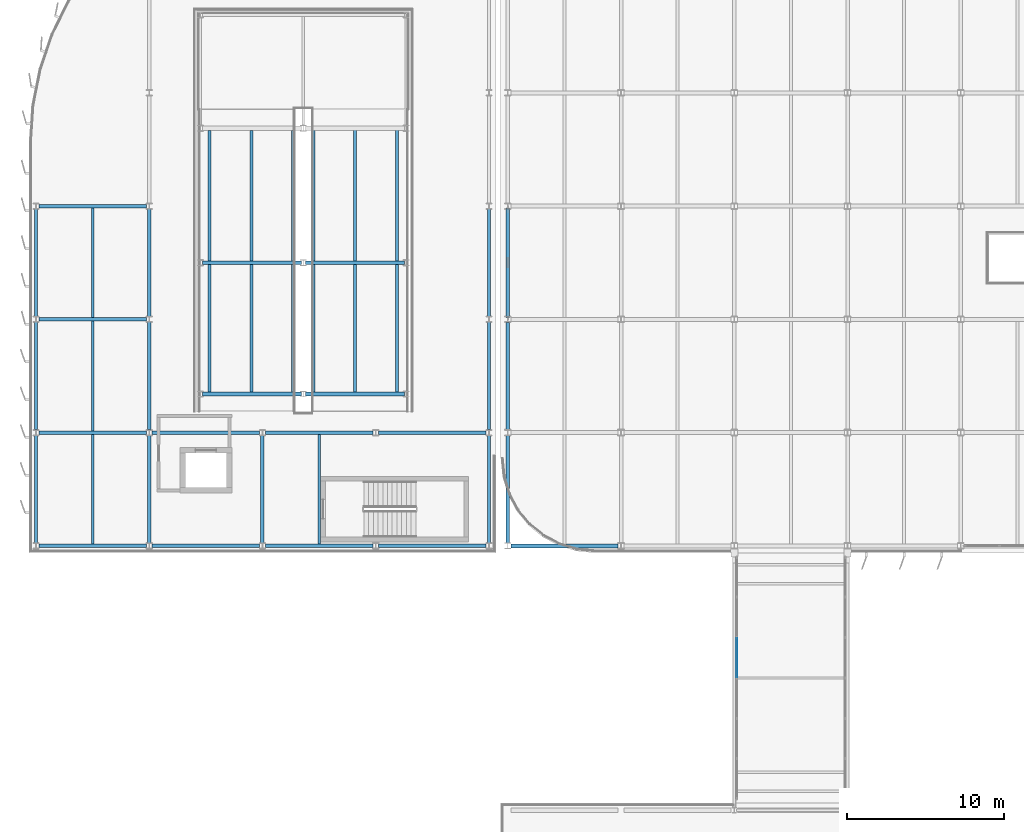
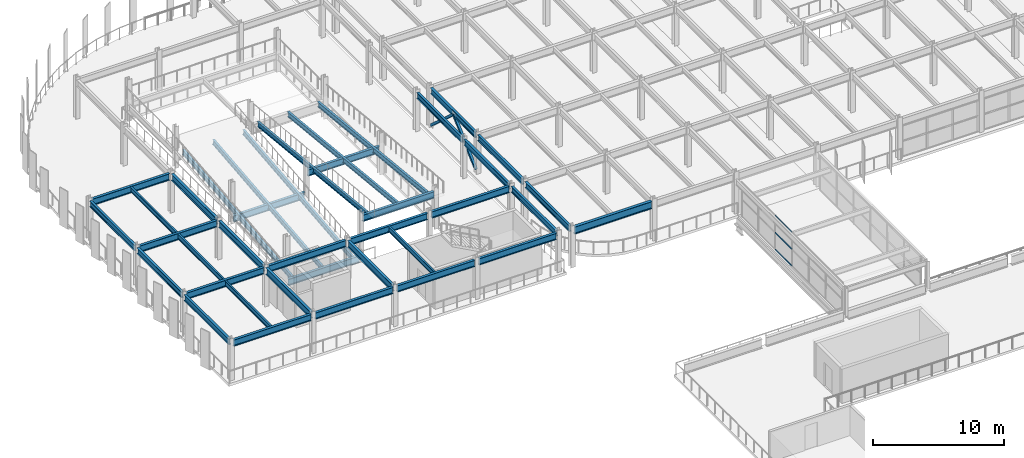
# One storey, part 22 of 93: 38 beams, 5 members, 1 element without a shape of its own.
"""IFC4 building model written with IfcOpenShell, lengths in metres."""

from ifc_helpers import new_model, si_unit, direction, frame, origin, origin_2d, place, context, subcontext, project, spatial, rectangle, hollow_rectangle, i_section, extrude, material, material_profile, profile_set, type_object, element, aggregate, save


model = new_model("IFC4")

# Units and contexts
model_context = context("Model", 3, precision=1e-05, world=origin(), true_north=direction((0.0, 1.0)))
body_context = subcontext(model_context, "Body", "Model", "MODEL_VIEW")
ifc_project = project(units=[si_unit("LENGTHUNIT", "METRE"), si_unit("AREAUNIT", "SQUARE_METRE"), si_unit("VOLUMEUNIT", "CUBIC_METRE"), si_unit("PLANEANGLEUNIT", "RADIAN"), si_unit("MASSUNIT", "GRAM", prefix="KILO")], contexts=[model_context])

# Site, building, storey
site_placement = place(None, origin())
site = spatial("IfcSite", under=ifc_project, at=site_placement, CompositionType="ELEMENT")
building_placement = place(site_placement, origin())
building = spatial("IfcBuilding", under=site, at=building_placement, Name="Vaelcorin Mobility Hub", CompositionType="ELEMENT")
storey_placement = place(building_placement, frame((0.0, 0.0, 5.39990234375)))
storey = spatial("IfcBuildingStorey", under=building, at=storey_placement, Name="L01", CompositionType="ELEMENT", Elevation=5.39990234375)

# Beams
ifc_material_1 = material(Name="Steel ASTM A992 Grade 50", Category="steel")
ifc_material_profile_1 = material_profile(ifc_material_1, i_section(OverallWidth=0.152099609375, OverallDepth=0.455078125, WebThickness=0.008056640625, FlangeThickness=0.01318359375, FilletRadius=0.012939453125, at=origin_2d()), Name="W18X40")
ifc_profile_set_1 = profile_set([ifc_material_profile_1], Name="Steel ASTM A992 Grade 50")
beam_type_1 = type_object("IfcBeamType", Name="BM-W18X40", PredefinedType="JOIST", material=ifc_profile_set_1)
for number, where, z_axis, x_axis, name in (
    (1, (9.60009765625, 76.912109375, 3.423095703125), (0.0, 1.0, 0.0), (-1.0, 0.0, 0.0), "L01 Beam V2W-L01-J-01-01-1"),
    (2, (9.60009765625, 84.112060546875, 3.423095703125), (0.0, 1.0, 0.0), (-1.0, 0.0, 0.0), "L01 Beam V2W-L01-J-01-02-1"),
):
    element("IfcBeam", number, at=place(storey_placement, frame(where, z_axis=z_axis, x_axis=x_axis)), inside=storey, type_object=beam_type_1, Name=name, PredefinedType="JOIST", context=body_context, shape_type="SweptSolid", body=[
        extrude(i_section(OverallWidth=0.152099609375, OverallDepth=0.455078125, WebThickness=0.008056640625, FlangeThickness=0.01318359375, FilletRadius=0.012939453125, at=origin_2d()), origin(), (0.0, 0.0, 1.0), 6.975830078125),
    ])
beam_1_placement = place(storey_placement, frame((9.60009765625, 91.31201171875, 3.423095703125), z_axis=(0.0, 1.0, 0.0), x_axis=(-1.0, 0.0, 0.0)))
element("IfcBeam", 3, at=beam_1_placement, inside=storey, type_object=beam_type_1, Name="L01 Beam V2W-L01-J-01-03-1", PredefinedType="JOIST", context=body_context, shape_type="SweptSolid", body=[
    extrude(i_section(OverallWidth=0.152099609375, OverallDepth=0.455078125, WebThickness=0.008056640625, FlangeThickness=0.01318359375, FilletRadius=0.012939453125, at=origin_2d()), origin(), (0.0, 0.0, 1.0), 6.97607421875),
])
beam_2_placement = place(storey_placement, frame((24.0, 76.912109375, 3.423095703125), z_axis=(0.0, 1.0, 0.0), x_axis=(-1.0, 0.0, 0.0)))
element("IfcBeam", 4, at=beam_2_placement, inside=storey, type_object=beam_type_1, Name="L01 Beam V2W-L01-J-03-01-1", PredefinedType="JOIST", context=body_context, shape_type="SweptSolid", body=[
    extrude(i_section(OverallWidth=0.152099609375, OverallDepth=0.455078125, WebThickness=0.008056640625, FlangeThickness=0.01318359375, FilletRadius=0.012939453125, at=origin_2d()), origin(), (0.0, 0.0, 1.0), 6.975830078125),
])
ifc_material_profile_2 = material_profile(ifc_material_1, i_section(OverallWidth=0.19091796875, OverallDepth=0.4599609375, WebThickness=0.010009765625, FlangeThickness=0.01611328125, FilletRadius=0.012939453125, at=origin_2d()), Name="W18X55")
ifc_profile_set_2 = profile_set([ifc_material_profile_2], Name="Steel ASTM A992 Grade 50")
beam_type_2 = type_object("IfcBeamType", Name="BM-W18X55", PredefinedType="JOIST", material=ifc_profile_set_2)
for number, where, z_axis, x_axis, name in (
    (5, (17.050048828125, 86.56005859375, -0.390869140625), (0.0, 0.994870153846, 0.101160155132), (-1.0, 0.0, 0.0), "Vehicle Ramp VR-1 L01 Flight 1 Stringer 1"),
    (6, (19.699951171875, 86.56005859375, -0.390869140625), (0.0, 0.994870153846, 0.101160155132), (-1.0, 0.0, 0.0), "Vehicle Ramp VR-1 L01 Flight 1 Stringer 2"),
    (7, (22.35009765625, 86.56005859375, -0.390869140625), (0.0, 0.994870153846, 0.101160155132), (-1.0, 0.0, 0.0), "Vehicle Ramp VR-1 L01 Flight 1 Stringer 3"),
    (8, (23.64990234375, 103.239990234375, 1.570068359375), (0.0, -0.994876014241, 0.10110250387), (1.0, 0.0, 0.0), "Vehicle Ramp VR-1 L01 Flight 2 Stringer 1"),
    (9, (26.300048828125, 103.239990234375, 1.570068359375), (0.0, -0.994876014241, 0.10110250387), (1.0, 0.0, 0.0), "Vehicle Ramp VR-1 L01 Flight 2 Stringer 2"),
    (10, (28.949951171875, 103.239990234375, 1.570068359375), (0.0, -0.994876014241, 0.10110250387), (1.0, 0.0, 0.0), "Vehicle Ramp VR-1 L01 Flight 2 Stringer 3"),
):
    element("IfcBeam", number, at=place(storey_placement, frame(where, z_axis=z_axis, x_axis=x_axis)), inside=storey, type_object=beam_type_2, Name=name, PredefinedType="JOIST", context=body_context, shape_type="SweptSolid", body=[
        extrude(i_section(OverallWidth=0.19091796875, OverallDepth=0.4599609375, WebThickness=0.010009765625, FlangeThickness=0.01611328125, FilletRadius=0.012939453125, at=origin_2d()), origin(), (0.0, 0.0, 1.0), 16.765869140625),
    ])
ifc_material_profile_3 = material_profile(ifc_material_1, i_section(OverallWidth=0.2099609375, OverallDepth=0.535888671875, WebThickness=0.010986328125, FlangeThickness=0.017333984375, FilletRadius=0.013916015625, at=origin_2d()), Name="W21X68")
ifc_profile_set_3 = profile_set([ifc_material_profile_3], Name="Steel ASTM A992 Grade 50")
beam_type_3 = type_object("IfcBeamType", Name="BM-W21X68", PredefinedType="SPANDREL", material=ifc_profile_set_3)
for number, where, z_axis, x_axis, name in (
    (11, (36.0, 76.988037109375, 3.402099609375), (0.0, 1.0, 0.0), (-1.0, 0.0, 0.0), "L01 Beam V4-L01-GY-01-01"),
    (12, (36.0, 84.195068359375, 3.402099609375), (0.0, 1.0, 0.0), (-1.0, 0.0, 0.0), "L01 Beam V4-L01-GY-01-02"),
):
    element("IfcBeam", number, at=place(storey_placement, frame(where, z_axis=z_axis, x_axis=x_axis)), inside=storey, type_object=beam_type_3, Name=name, PredefinedType="SPANDREL", context=body_context, shape_type="SweptSolid", body=[
        extrude(i_section(OverallWidth=0.2099609375, OverallDepth=0.535888671875, WebThickness=0.010986328125, FlangeThickness=0.017333984375, FilletRadius=0.013916015625, at=origin_2d()), origin(), (0.0, 0.0, 1.0), 6.81689453125),
    ])
beam_3_placement = place(storey_placement, frame((36.0, 91.388916015625, 3.402099609375), z_axis=(0.0, 1.0, 0.0), x_axis=(-1.0, 0.0, 0.0)))
element("IfcBeam", 13, at=beam_3_placement, inside=storey, type_object=beam_type_3, Name="L01 Beam V4-L01-GY-01-03", PredefinedType="SPANDREL", context=body_context, shape_type="SweptSolid", body=[
    extrude(i_section(OverallWidth=0.2099609375, OverallDepth=0.535888671875, WebThickness=0.010986328125, FlangeThickness=0.017333984375, FilletRadius=0.013916015625, at=origin_2d()), origin(), (0.0, 0.0, 1.0), 6.822998046875),
])
for number, where, z_axis, x_axis, name in (
    (14, (6.0, 76.98388671875, 3.382080078125), (0.0, 1.0, 0.0), (-1.0, 0.0, 0.0), "L01 Beam V2W-L01-GY-01-01"),
    (15, (6.0, 84.18408203125, 3.382080078125), (0.0, 1.0, 0.0), (-1.0, 0.0, 0.0), "L01 Beam V2W-L01-GY-01-02"),
    (16, (6.0, 91.384033203125, 3.382080078125), (0.0, 1.0, 0.0), (-1.0, 0.0, 0.0), "L01 Beam V2W-L01-GY-01-03"),
    (17, (34.800048828125, 76.98388671875, 3.382080078125), (0.0, 1.0, 0.0), (-1.0, 0.0, 0.0), "L01 Beam V2W-L01-GY-05-01"),
    (18, (34.800048828125, 84.18408203125, 3.382080078125), (0.0, 1.0, 0.0), (-1.0, 0.0, 0.0), "L01 Beam V2W-L01-GY-05-02"),
    (19, (34.800048828125, 91.384033203125, 3.382080078125), (0.0, 1.0, 0.0), (-1.0, 0.0, 0.0), "L01 Beam V2W-L01-GY-05-03"),
):
    element("IfcBeam", number, at=place(storey_placement, frame(where, z_axis=z_axis, x_axis=x_axis)), inside=storey, type_object=beam_type_3, Name=name, PredefinedType="SPANDREL", context=body_context, shape_type="SweptSolid", body=[
        extrude(i_section(OverallWidth=0.2099609375, OverallDepth=0.535888671875, WebThickness=0.010986328125, FlangeThickness=0.017333984375, FilletRadius=0.013916015625, at=origin_2d()), origin(), (0.0, 0.0, 1.0), 6.83203125),
    ])
ifc_material_profile_4 = material_profile(ifc_material_1, i_section(OverallWidth=0.22802734375, OverallDepth=0.60205078125, WebThickness=0.010498046875, FlangeThickness=0.014892578125, FilletRadius=0.014892578125, at=origin_2d()), Name="W24X68")
ifc_profile_set_4 = profile_set([ifc_material_profile_4], Name="Steel ASTM A992 Grade 50")
beam_type_4 = type_object("IfcBeamType", Name="BM-W24X68", PredefinedType="SPANDREL", material=ifc_profile_set_4)
for number, where, z_axis, x_axis, name in (
    (20, (6.18408203125, 76.800048828125, 3.34912109375), (1.0, 0.0, 0.0), (0.0, 1.0, 0.0), "L01 Beam V2W-L01-GX-01-01"),
    (21, (13.384033203125, 76.800048828125, 3.34912109375), (1.0, 0.0, 0.0), (0.0, 1.0, 0.0), "L01 Beam V2W-L01-GX-01-02"),
    (22, (20.583984375, 76.800048828125, 3.34912109375), (1.0, 0.0, 0.0), (0.0, 1.0, 0.0), "L01 Beam V2W-L01-GX-01-03"),
    (23, (27.783935546875, 76.800048828125, 3.34912109375), (1.0, 0.0, 0.0), (0.0, 1.0, 0.0), "L01 Beam V2W-L01-GX-01-04"),
):
    element("IfcBeam", number, at=place(storey_placement, frame(where, z_axis=z_axis, x_axis=x_axis)), inside=storey, type_object=beam_type_4, Name=name, PredefinedType="SPANDREL", context=body_context, shape_type="SweptSolid", body=[
        extrude(i_section(OverallWidth=0.22802734375, OverallDepth=0.60205078125, WebThickness=0.010498046875, FlangeThickness=0.014892578125, FilletRadius=0.014892578125, at=origin_2d()), origin(), (0.0, 0.0, 1.0), 6.83203125),
    ])
ifc_material_profile_5 = material_profile(ifc_material_1, i_section(OverallWidth=0.22900390625, OverallDepth=0.612060546875, WebThickness=0.011962890625, FlangeThickness=0.01953125, FilletRadius=0.014892578125, at=origin_2d()), Name="W24X84")
ifc_profile_set_5 = profile_set([ifc_material_profile_5], Name="Steel ASTM A992 Grade 50")
beam_type_5 = type_object("IfcBeamType", Name="BM-W24X84", PredefinedType="BEAM", material=ifc_profile_set_5)
for number, where, z_axis, x_axis, name in (
    (24, (6.18408203125, 84.0, 3.343994140625), (1.0, 0.0, 0.0), (0.0, 1.0, 0.0), "L01 Beam V2W-L01-GX-02-01"),
    (25, (13.384033203125, 84.0, 3.343994140625), (1.0, 0.0, 0.0), (0.0, 1.0, 0.0), "L01 Beam V2W-L01-GX-02-02"),
    (26, (20.583984375, 84.0, 3.343994140625), (1.0, 0.0, 0.0), (0.0, 1.0, 0.0), "L01 Beam V2W-L01-GX-02-03"),
    (27, (27.783935546875, 84.0, 3.343994140625), (1.0, 0.0, 0.0), (0.0, 1.0, 0.0), "L01 Beam V2W-L01-GX-02-04"),
    (28, (6.18408203125, 91.199951171875, 3.343994140625), (1.0, 0.0, 0.0), (0.0, 1.0, 0.0), "L01 Beam V2W-L01-GX-03-01"),
    (29, (6.18408203125, 98.39990234375, 3.343994140625), (1.0, 0.0, 0.0), (0.0, 1.0, 0.0), "L01 Beam V2W-L01-GX-04-01"),
    (30, (13.199951171875, 76.98388671875, 3.343994140625), (0.0, 1.0, 0.0), (-1.0, 0.0, 0.0), "L01 Beam V2W-L01-GY-02-01"),
    (31, (13.199951171875, 84.18408203125, 3.343994140625), (0.0, 1.0, 0.0), (-1.0, 0.0, 0.0), "L01 Beam V2W-L01-GY-02-02"),
    (32, (13.199951171875, 91.384033203125, 3.343994140625), (0.0, 1.0, 0.0), (-1.0, 0.0, 0.0), "L01 Beam V2W-L01-GY-02-03"),
    (33, (20.39990234375, 76.98388671875, 3.343994140625), (0.0, 1.0, 0.0), (-1.0, 0.0, 0.0), "L01 Beam V2W-L01-GY-03-01"),
):
    element("IfcBeam", number, at=place(storey_placement, frame(where, z_axis=z_axis, x_axis=x_axis)), inside=storey, type_object=beam_type_5, Name=name, PredefinedType="BEAM", context=body_context, shape_type="SweptSolid", body=[
        extrude(i_section(OverallWidth=0.22900390625, OverallDepth=0.612060546875, WebThickness=0.011962890625, FlangeThickness=0.01953125, FilletRadius=0.014892578125, at=origin_2d()), origin(), (0.0, 0.0, 1.0), 6.83203125),
    ])
for number, where, z_axis, x_axis, name in (
    (34, (16.580078125, 86.449951171875, -0.4990234375), (1.0, 0.0, 0.0), (0.0, 1.0, 0.0), "Vehicle Ramp VR-1 L01 Bent Girder F1S"),
    (35, (16.580078125, 94.800048828125, 0.35009765625), (1.0, 0.0, 0.0), (0.0, 1.0, 0.0), "Vehicle Ramp VR-1 L01 Bent Girder F1M"),
    (36, (23.1298828125, 94.800048828125, 2.3310546875), (1.0, 0.0, 0.0), (0.0, 1.0, 0.0), "Vehicle Ramp VR-1 L01 Bent Girder F2M"),
    (37, (23.1298828125, 86.449951171875, 3.18017578125), (1.0, 0.0, 0.0), (0.0, 1.0, 0.0), "Vehicle Ramp VR-1 L01 Bent Girder F2S"),
):
    element("IfcBeam", number, at=place(storey_placement, frame(where, z_axis=z_axis, x_axis=x_axis)), inside=storey, type_object=beam_type_5, Name=name, PredefinedType="BEAM", context=body_context, shape_type="SweptSolid", body=[
        extrude(i_section(OverallWidth=0.22900390625, OverallDepth=0.612060546875, WebThickness=0.011962890625, FlangeThickness=0.01953125, FilletRadius=0.014892578125, at=origin_2d()), origin(), (0.0, 0.0, 1.0), 6.2900390625),
    ])
ifc_material_profile_6 = material_profile(ifc_material_1, i_section(OverallWidth=0.25390625, OverallDepth=0.68310546875, WebThickness=0.012451171875, FlangeThickness=0.018798828125, FilletRadius=0.01611328125, at=origin_2d()), Name="W27X94")
ifc_profile_set_6 = profile_set([ifc_material_profile_6], Name="Steel ASTM A992 Grade 50")
beam_type_6 = type_object("IfcBeamType", Name="BM-W27X94", PredefinedType="BEAM", material=ifc_profile_set_6)
beam_4_placement = place(storey_placement, frame((36.196044921875, 76.800048828125, 3.328125), z_axis=(1.0, 0.0, 0.0), x_axis=(0.0, 1.0, 0.0)))
element("IfcBeam", 38, at=beam_4_placement, inside=storey, type_object=beam_type_6, Name="L01 Beam V4-L01-GX-01-01", PredefinedType="BEAM", context=body_context, shape_type="SweptSolid", body=[
    extrude(i_section(OverallWidth=0.25390625, OverallDepth=0.68310546875, WebThickness=0.012451171875, FlangeThickness=0.018798828125, FilletRadius=0.01611328125, at=origin_2d()), origin(), (0.0, 0.0, 1.0), 6.807861328125),
])

# Members
ifc_material_2 = material(Name="Steel ASTM A500 Grade C", Category="steel")
ifc_material_profile_7 = material_profile(ifc_material_2, hollow_rectangle(XDim=0.203125, YDim=0.203125, WallThickness=0.01171875, at=origin_2d()), Name="HSS8X8X0.500")
ifc_profile_set_7 = profile_set([ifc_material_profile_7], Name="Steel ASTM A500 Grade C")
member_type_1 = type_object("IfcMemberType", Name="BR-SCBF-8X8", PredefinedType="BRACE", material=ifc_profile_set_7)
member_1_placement = place(storey_placement, frame((36.0, 91.389892578125, 0.18017578125), z_axis=(0.0, 0.743220060975, 0.669047039426), x_axis=(-1.0, 0.0, 0.0)))
element("IfcMember", 39, at=member_1_placement, inside=storey, type_object=member_type_1, Name="SCBF Chevron Brace V4-BY1-L01-A", PredefinedType="BRACE", context=body_context, shape_type="SweptSolid", body=[
    extrude(hollow_rectangle(XDim=0.203125, YDim=0.203125, WallThickness=0.01171875, at=origin_2d()), origin(), (0.0, 0.0, 1.0), 4.58837890625),
])
member_2_placement = place(storey_placement, frame((36.0, 98.2099609375, 0.18017578125), z_axis=(0.0, -0.743196242044, 0.669073498064), x_axis=(1.0, 0.0, 0.0)))
element("IfcMember", 40, at=member_2_placement, inside=storey, type_object=member_type_1, Name="SCBF Chevron Brace V4-BY1-L01-B", PredefinedType="BRACE", context=body_context, shape_type="SweptSolid", body=[
    extrude(hollow_rectangle(XDim=0.203125, YDim=0.203125, WallThickness=0.01171875, at=origin_2d()), origin(), (0.0, 0.0, 1.0), 4.588134765625),
])

# Curtain wall, members
ifc_material_3 = material(Name="Anodised aluminium 6063-T6", Category="aluminium")
curtain_wall_type = type_object("IfcCurtainWallType", Name="CW-BRG-A", PredefinedType="NOTDEFINED", material=ifc_material_3)
curtain_wall_placement = place(storey_placement, origin())
curtain_wall = element("IfcCurtainWall", 41, at=curtain_wall_placement, inside=storey, type_object=curtain_wall_type, Name="L01 Curtain Wall CW-LB1-W", PredefinedType="NOTDEFINED")
ifc_material_profile_8 = material_profile(ifc_material_3, rectangle(XDim=0.06005859375, YDim=0.1201171875, at=origin_2d()), Name="ALU-T60X120")
ifc_profile_set_8 = profile_set([ifc_material_profile_8], Name="Anodised aluminium 6063-T6")
member_type_2 = type_object("IfcMemberType", Name="CW-TRAN-140", PredefinedType="USERDEFINED", material=ifc_profile_set_8)
member_3_placement = place(storey_placement, frame((50.550048828125, 68.429931640625, 0.030029296875), z_axis=(0.0, 1.0, 0.0), x_axis=(-1.0, 0.0, 0.0)))
member_3 = element("IfcMember", 42, at=member_3_placement, type_object=member_type_2, Name="CW8 transom 4.1", ObjectType="TRANSOM", PredefinedType="USERDEFINED", context=body_context, shape_type="SweptSolid", body=[
    extrude(rectangle(XDim=0.06005859375, YDim=0.1201171875, at=origin_2d()), origin(), (0.0, 0.0, 1.0), 2.5068359375),
])
member_4_placement = place(storey_placement, frame((50.550048828125, 68.429931640625, 1.60009765625), z_axis=(0.0, 1.0, 0.0), x_axis=(-1.0, 0.0, 0.0)))
member_4 = element("IfcMember", 43, at=member_4_placement, type_object=member_type_2, Name="CW8 transom 4.2", ObjectType="TRANSOM", PredefinedType="USERDEFINED", context=body_context, shape_type="SweptSolid", body=[
    extrude(rectangle(XDim=0.06005859375, YDim=0.1201171875, at=origin_2d()), origin(), (0.0, 0.0, 1.0), 2.5068359375),
])
member_5_placement = place(storey_placement, frame((50.550048828125, 68.429931640625, 3.170166015625), z_axis=(0.0, 1.0, 0.0), x_axis=(-1.0, 0.0, 0.0)))
member_5 = element("IfcMember", 44, at=member_5_placement, type_object=member_type_2, Name="CW8 transom 4.3", ObjectType="TRANSOM", PredefinedType="USERDEFINED", context=body_context, shape_type="SweptSolid", body=[
    extrude(rectangle(XDim=0.06005859375, YDim=0.1201171875, at=origin_2d()), origin(), (0.0, 0.0, 1.0), 2.5068359375),
])
aggregate(curtain_wall, [member_3, member_4, member_5])

save(model, "model.ifc")
